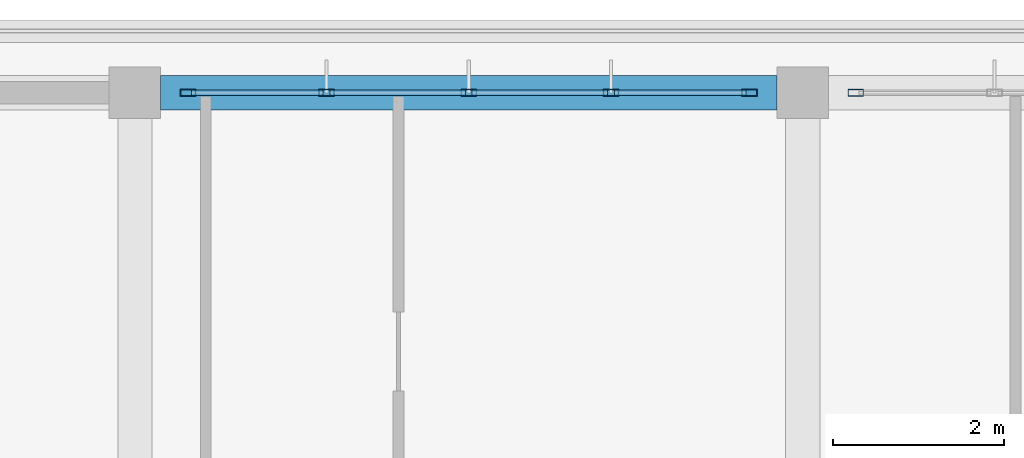
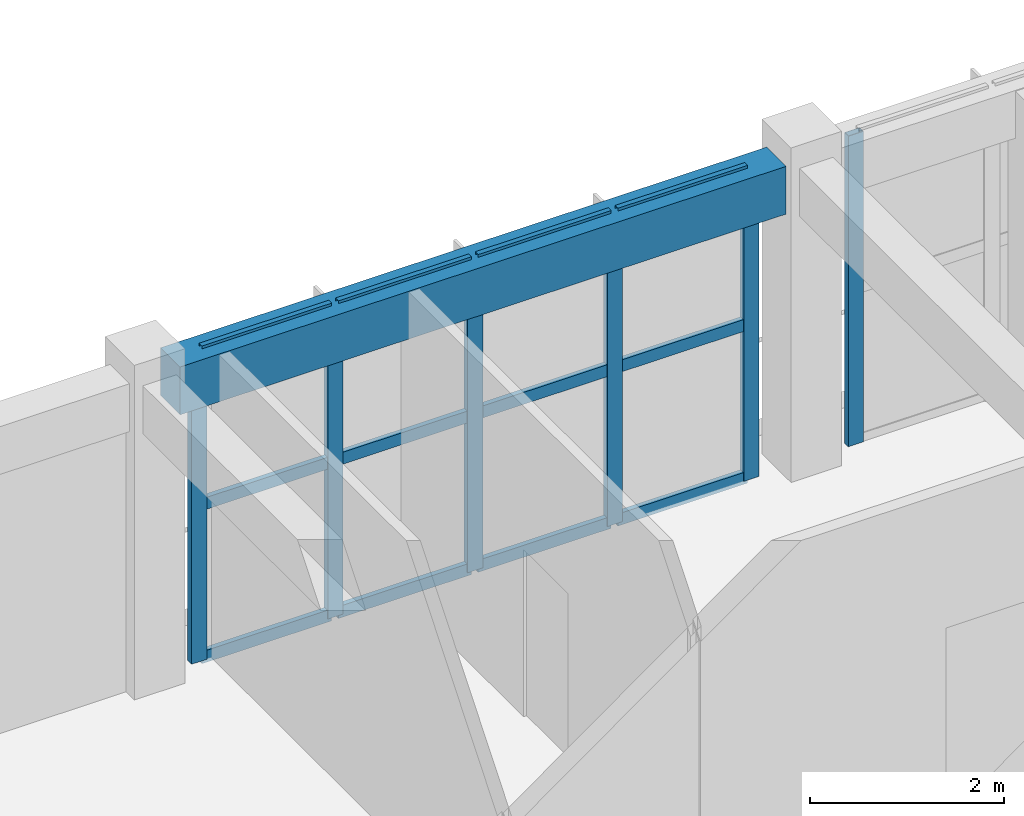
# One storey, part 19 of 50: 18 members, 1 beam, 2 elements without a shape of their own.
"""IFC4 building model written with IfcOpenShell, lengths in metres."""

from ifc_helpers import new_model, si_unit, direction, frame, origin, origin_2d, place, context, subcontext, project, spatial, rectangle, hollow_rectangle, extrude, material, layer, layer_set, material_profile, profile_set, type_object, element, aggregate, save


model = new_model("IFC4")

# Units and contexts
model_context = context("Model", 3, precision=1e-05, world=origin(), true_north=direction((0.0, 1.0)))
body_context = subcontext(model_context, "Body", "Model", "MODEL_VIEW")
ifc_project = project(units=[si_unit("LENGTHUNIT", "METRE"), si_unit("AREAUNIT", "SQUARE_METRE"), si_unit("VOLUMEUNIT", "CUBIC_METRE"), si_unit("PLANEANGLEUNIT", "RADIAN"), si_unit("MASSUNIT", "GRAM", prefix="KILO")], contexts=[model_context])

# Site, building, storey
site_placement = place(None, origin())
site = spatial("IfcSite", under=ifc_project, at=site_placement, CompositionType="ELEMENT")
building_placement = place(site_placement, origin())
building = spatial("IfcBuilding", under=site, at=building_placement, Name="Zizhar Promenade General Hospital", CompositionType="ELEMENT")
storey_placement = place(building_placement, frame((0.0, 0.0, 30.60009765625)))
storey = spatial("IfcBuildingStorey", under=building, at=storey_placement, Name="L07", CompositionType="ELEMENT", Elevation=30.60009765625)

# Beam
ifc_material_1 = material(Name="Concrete C35/45", Category="concrete")
ifc_material_profile_1 = material_profile(ifc_material_1, rectangle(XDim=0.39990234375, YDim=0.60009765625, at=origin_2d()))
ifc_profile_set_1 = profile_set([ifc_material_profile_1], Name="Concrete C35/45")
beam_type = type_object("IfcBeamType", Name="BM-RC-400x600", PredefinedType="JOIST", material=ifc_profile_set_1)
beam_placement = place(storey_placement, frame((78.300048828125, 25.199951171875, 3.60986328125), z_axis=(1.0, 0.0, 0.0), x_axis=(0.0, 1.0, 0.0)))
element("IfcBeam", 1, at=beam_placement, inside=storey, type_object=beam_type, Name="Grid Beam X L07 (10-3)", PredefinedType="JOIST", context=body_context, shape_type="SweptSolid", body=[
    extrude(rectangle(XDim=0.39990234375, YDim=0.60009765625, at=origin_2d()), origin(), (0.0, 0.0, 1.0), 7.199951171875),
])

# Curtain wall, members
ifc_material_2 = material(Name="Anodised aluminium 6063-T6 and low-E glass", Category="aluminium")
ifc_layer = layer(ifc_material_2, 0.159912109375)
ifc_layer_set = layer_set([ifc_layer], Name="Anodised aluminium 6063-T6 and low-E glass")
curtain_wall_type = type_object("IfcCurtainWallType", Name="CW-WARD-RIB", PredefinedType="NOTDEFINED", material=ifc_layer_set)
curtain_wall_1_placement = place(storey_placement, origin())
curtain_wall_1 = element("IfcCurtainWall", 2, at=curtain_wall_1_placement, inside=storey, type_object=curtain_wall_type, Name="Ward Ribbon Curtain Wall L07-8-5", PredefinedType="NOTDEFINED")
ifc_material_3 = material(Name="Anodised aluminium 6063-T6", Category="aluminium")
ifc_material_profile_2 = material_profile(ifc_material_3, hollow_rectangle(XDim=0.080078125, YDim=0.179931640625, WallThickness=0.0048828125, at=origin_2d()))
ifc_profile_set_2 = profile_set([ifc_material_profile_2], Name="Anodised aluminium 6063-T6")
member_type_1 = type_object("IfcMemberType", Name="CWM-ALU-180x80", PredefinedType="MULLION", material=ifc_profile_set_2)
member_1_placement = place(storey_placement, frame((78.6201171875, 25.199951171875, 0.0), z_axis=(0.0, 0.0, 1.0), x_axis=(0.0, 1.0, 0.0)))
member_1 = element("IfcMember", 3, at=member_1_placement, type_object=member_type_1, Name="CW-13 mullion 1", PredefinedType="MULLION", context=body_context, shape_type="SweptSolid", body=[
    extrude(hollow_rectangle(XDim=0.080078125, YDim=0.179931640625, WallThickness=0.0048828125, at=origin_2d()), origin(), (0.0, 0.0, 1.0), 3.89990234375),
])
member_2_placement = place(storey_placement, frame((80.239990234375, 25.199951171875, 0.0), z_axis=(0.0, 0.0, 1.0), x_axis=(0.0, 1.0, 0.0)))
member_2 = element("IfcMember", 4, at=member_2_placement, type_object=member_type_1, Name="CW-13 mullion 2", PredefinedType="MULLION", context=body_context, shape_type="SweptSolid", body=[
    extrude(hollow_rectangle(XDim=0.080078125, YDim=0.179931640625, WallThickness=0.0048828125, at=origin_2d()), origin(), (0.0, 0.0, 1.0), 3.89990234375),
])
member_3_placement = place(storey_placement, frame((81.89990234375, 25.199951171875, 0.0), z_axis=(0.0, 0.0, 1.0), x_axis=(0.0, 1.0, 0.0)))
member_3 = element("IfcMember", 5, at=member_3_placement, type_object=member_type_1, Name="CW-13 mullion 3", PredefinedType="MULLION", context=body_context, shape_type="SweptSolid", body=[
    extrude(hollow_rectangle(XDim=0.080078125, YDim=0.179931640625, WallThickness=0.0048828125, at=origin_2d()), origin(), (0.0, 0.0, 1.0), 3.89990234375),
])
member_4_placement = place(storey_placement, frame((83.56005859375, 25.199951171875, 0.0), z_axis=(0.0, 0.0, 1.0), x_axis=(0.0, 1.0, 0.0)))
member_4 = element("IfcMember", 6, at=member_4_placement, type_object=member_type_1, Name="CW-13 mullion 4", PredefinedType="MULLION", context=body_context, shape_type="SweptSolid", body=[
    extrude(hollow_rectangle(XDim=0.080078125, YDim=0.179931640625, WallThickness=0.0048828125, at=origin_2d()), origin(), (0.0, 0.0, 1.0), 3.89990234375),
])
member_5_placement = place(storey_placement, frame((85.179931640625, 25.199951171875, 0.0), z_axis=(0.0, 0.0, 1.0), x_axis=(0.0, 1.0, 0.0)))
member_5 = element("IfcMember", 7, at=member_5_placement, type_object=member_type_1, Name="CW-13 mullion 5", PredefinedType="MULLION", context=body_context, shape_type="SweptSolid", body=[
    extrude(hollow_rectangle(XDim=0.080078125, YDim=0.179931640625, WallThickness=0.0048828125, at=origin_2d()), origin(), (0.0, 0.0, 1.0), 3.89990234375),
])

# Curtain wall, member
curtain_wall_2_placement = place(storey_placement, origin())
curtain_wall_2 = element("IfcCurtainWall", 8, at=curtain_wall_2_placement, inside=storey, type_object=curtain_wall_type, Name="Ward Ribbon Curtain Wall L07-8-6", PredefinedType="NOTDEFINED")
member_6_placement = place(storey_placement, frame((86.419921875, 25.199951171875, 0.0), z_axis=(0.0, 0.0, 1.0), x_axis=(0.0, 1.0, 0.0)))
member_6 = element("IfcMember", 9, at=member_6_placement, type_object=member_type_1, Name="CW-13 mullion 1", PredefinedType="MULLION", context=body_context, shape_type="SweptSolid", body=[
    extrude(hollow_rectangle(XDim=0.080078125, YDim=0.179931640625, WallThickness=0.0048828125, at=origin_2d()), origin(), (0.0, 0.0, 1.0), 3.89990234375),
])
aggregate(curtain_wall_2, [member_6])

# Member
ifc_material_4 = material(Name="Anodised aluminium 6063-T6", Category="aluminium")
ifc_material_profile_3 = material_profile(ifc_material_4, hollow_rectangle(XDim=0.06005859375, YDim=0.14990234375, WallThickness=0.00390625, at=origin_2d()))
ifc_profile_set_3 = profile_set([ifc_material_profile_3], Name="Anodised aluminium 6063-T6")
member_type_2 = type_object("IfcMemberType", Name="CWT-ALU-150x60", PredefinedType="USERDEFINED", material=ifc_profile_set_3)
member_7_placement = place(storey_placement, frame((78.659912109375, 25.199951171875, 0.02978515625), z_axis=(1.0, 0.0, 0.0), x_axis=(0.0, 1.0, 0.0)))
member_7 = element("IfcMember", 10, at=member_7_placement, type_object=member_type_2, Name="CW-13 transom 1.1", ObjectType="TRANSOM", PredefinedType="USERDEFINED", context=body_context, shape_type="SweptSolid", body=[
    extrude(hollow_rectangle(XDim=0.06005859375, YDim=0.14990234375, WallThickness=0.00390625, at=origin_2d()), origin(), (0.0, 0.0, 1.0), 1.5400390625),
])

member_8_placement = place(storey_placement, frame((78.659912109375, 25.199951171875, 1.949951171875), z_axis=(1.0, 0.0, 0.0), x_axis=(0.0, 1.0, 0.0)))
member_8 = element("IfcMember", 11, at=member_8_placement, type_object=member_type_2, Name="CW-13 transom 1.2", ObjectType="TRANSOM", PredefinedType="USERDEFINED", context=body_context, shape_type="SweptSolid", body=[
    extrude(hollow_rectangle(XDim=0.06005859375, YDim=0.14990234375, WallThickness=0.00390625, at=origin_2d()), origin(), (0.0, 0.0, 1.0), 1.5400390625),
])

member_9_placement = place(storey_placement, frame((78.659912109375, 25.199951171875, 3.869873046875), z_axis=(1.0, 0.0, 0.0), x_axis=(0.0, 1.0, 0.0)))
member_9 = element("IfcMember", 12, at=member_9_placement, type_object=member_type_2, Name="CW-13 transom 1.3", ObjectType="TRANSOM", PredefinedType="USERDEFINED", context=body_context, shape_type="SweptSolid", body=[
    extrude(hollow_rectangle(XDim=0.06005859375, YDim=0.14990234375, WallThickness=0.00390625, at=origin_2d()), origin(), (0.0, 0.0, 1.0), 1.5400390625),
])

member_10_placement = place(storey_placement, frame((80.280029296875, 25.199951171875, 0.02978515625), z_axis=(1.0, 0.0, 0.0), x_axis=(0.0, 1.0, 0.0)))
member_10 = element("IfcMember", 13, at=member_10_placement, type_object=member_type_2, Name="CW-13 transom 2.1", ObjectType="TRANSOM", PredefinedType="USERDEFINED", context=body_context, shape_type="SweptSolid", body=[
    extrude(hollow_rectangle(XDim=0.06005859375, YDim=0.14990234375, WallThickness=0.00390625, at=origin_2d()), origin(), (0.0, 0.0, 1.0), 1.580078125),
])

member_11_placement = place(storey_placement, frame((80.280029296875, 25.199951171875, 1.949951171875), z_axis=(1.0, 0.0, 0.0), x_axis=(0.0, 1.0, 0.0)))
member_11 = element("IfcMember", 14, at=member_11_placement, type_object=member_type_2, Name="CW-13 transom 2.2", ObjectType="TRANSOM", PredefinedType="USERDEFINED", context=body_context, shape_type="SweptSolid", body=[
    extrude(hollow_rectangle(XDim=0.06005859375, YDim=0.14990234375, WallThickness=0.00390625, at=origin_2d()), origin(), (0.0, 0.0, 1.0), 1.580078125),
])

member_12_placement = place(storey_placement, frame((80.280029296875, 25.199951171875, 3.869873046875), z_axis=(1.0, 0.0, 0.0), x_axis=(0.0, 1.0, 0.0)))
member_12 = element("IfcMember", 15, at=member_12_placement, type_object=member_type_2, Name="CW-13 transom 2.3", ObjectType="TRANSOM", PredefinedType="USERDEFINED", context=body_context, shape_type="SweptSolid", body=[
    extrude(hollow_rectangle(XDim=0.06005859375, YDim=0.14990234375, WallThickness=0.00390625, at=origin_2d()), origin(), (0.0, 0.0, 1.0), 1.580078125),
])

member_13_placement = place(storey_placement, frame((81.93994140625, 25.199951171875, 0.02978515625), z_axis=(1.0, 0.0, 0.0), x_axis=(0.0, 1.0, 0.0)))
member_13 = element("IfcMember", 16, at=member_13_placement, type_object=member_type_2, Name="CW-13 transom 3.1", ObjectType="TRANSOM", PredefinedType="USERDEFINED", context=body_context, shape_type="SweptSolid", body=[
    extrude(hollow_rectangle(XDim=0.06005859375, YDim=0.14990234375, WallThickness=0.00390625, at=origin_2d()), origin(), (0.0, 0.0, 1.0), 1.580078125),
])

member_14_placement = place(storey_placement, frame((81.93994140625, 25.199951171875, 1.949951171875), z_axis=(1.0, 0.0, 0.0), x_axis=(0.0, 1.0, 0.0)))
member_14 = element("IfcMember", 17, at=member_14_placement, type_object=member_type_2, Name="CW-13 transom 3.2", ObjectType="TRANSOM", PredefinedType="USERDEFINED", context=body_context, shape_type="SweptSolid", body=[
    extrude(hollow_rectangle(XDim=0.06005859375, YDim=0.14990234375, WallThickness=0.00390625, at=origin_2d()), origin(), (0.0, 0.0, 1.0), 1.580078125),
])

member_15_placement = place(storey_placement, frame((81.93994140625, 25.199951171875, 3.869873046875), z_axis=(1.0, 0.0, 0.0), x_axis=(0.0, 1.0, 0.0)))
member_15 = element("IfcMember", 18, at=member_15_placement, type_object=member_type_2, Name="CW-13 transom 3.3", ObjectType="TRANSOM", PredefinedType="USERDEFINED", context=body_context, shape_type="SweptSolid", body=[
    extrude(hollow_rectangle(XDim=0.06005859375, YDim=0.14990234375, WallThickness=0.00390625, at=origin_2d()), origin(), (0.0, 0.0, 1.0), 1.580078125),
])

member_16_placement = place(storey_placement, frame((83.60009765625, 25.199951171875, 0.02978515625), z_axis=(1.0, 0.0, 0.0), x_axis=(0.0, 1.0, 0.0)))
member_16 = element("IfcMember", 19, at=member_16_placement, type_object=member_type_2, Name="CW-13 transom 4.1", ObjectType="TRANSOM", PredefinedType="USERDEFINED", context=body_context, shape_type="SweptSolid", body=[
    extrude(hollow_rectangle(XDim=0.06005859375, YDim=0.14990234375, WallThickness=0.00390625, at=origin_2d()), origin(), (0.0, 0.0, 1.0), 1.539794921875),
])

member_17_placement = place(storey_placement, frame((83.60009765625, 25.199951171875, 1.949951171875), z_axis=(1.0, 0.0, 0.0), x_axis=(0.0, 1.0, 0.0)))
member_17 = element("IfcMember", 20, at=member_17_placement, type_object=member_type_2, Name="CW-13 transom 4.2", ObjectType="TRANSOM", PredefinedType="USERDEFINED", context=body_context, shape_type="SweptSolid", body=[
    extrude(hollow_rectangle(XDim=0.06005859375, YDim=0.14990234375, WallThickness=0.00390625, at=origin_2d()), origin(), (0.0, 0.0, 1.0), 1.539794921875),
])

member_18_placement = place(storey_placement, frame((83.60009765625, 25.199951171875, 3.869873046875), z_axis=(1.0, 0.0, 0.0), x_axis=(0.0, 1.0, 0.0)))
member_18 = element("IfcMember", 21, at=member_18_placement, type_object=member_type_2, Name="CW-13 transom 4.3", ObjectType="TRANSOM", PredefinedType="USERDEFINED", context=body_context, shape_type="SweptSolid", body=[
    extrude(hollow_rectangle(XDim=0.06005859375, YDim=0.14990234375, WallThickness=0.00390625, at=origin_2d()), origin(), (0.0, 0.0, 1.0), 1.539794921875),
])

aggregate(curtain_wall_1, [member_1, member_2, member_3, member_4, member_5, member_7, member_8, member_9, member_10, member_11, member_12, member_13, member_14, member_15, member_16, member_17, member_18])

save(model, "model.ifc")
